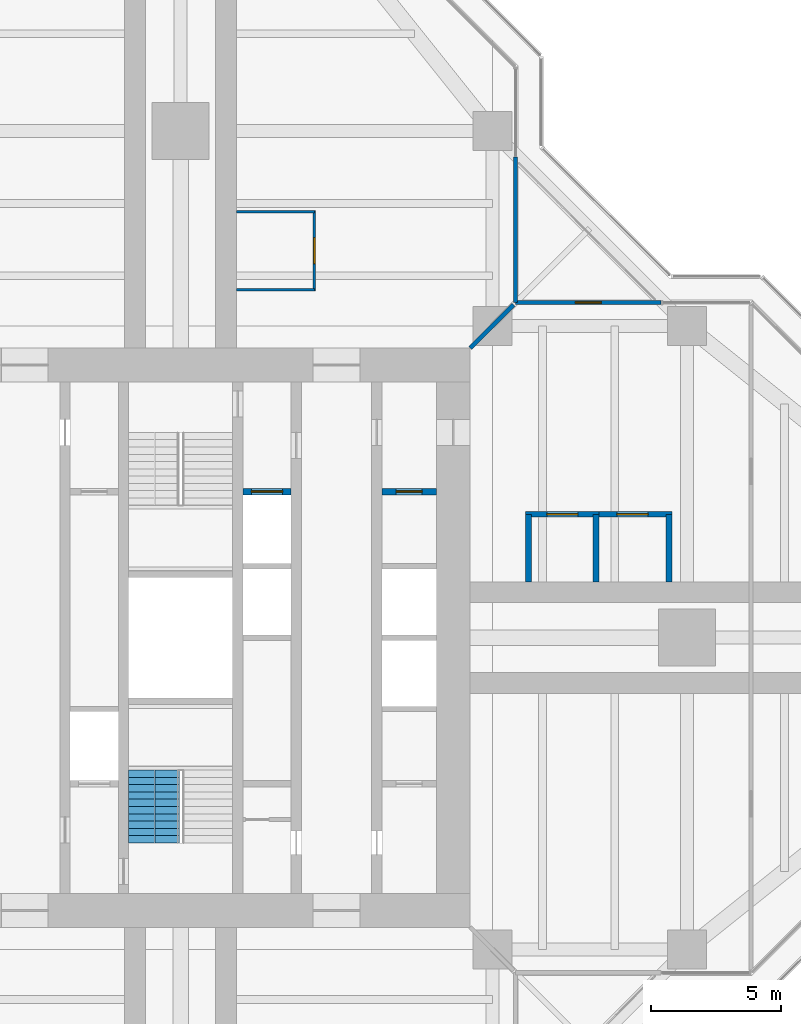
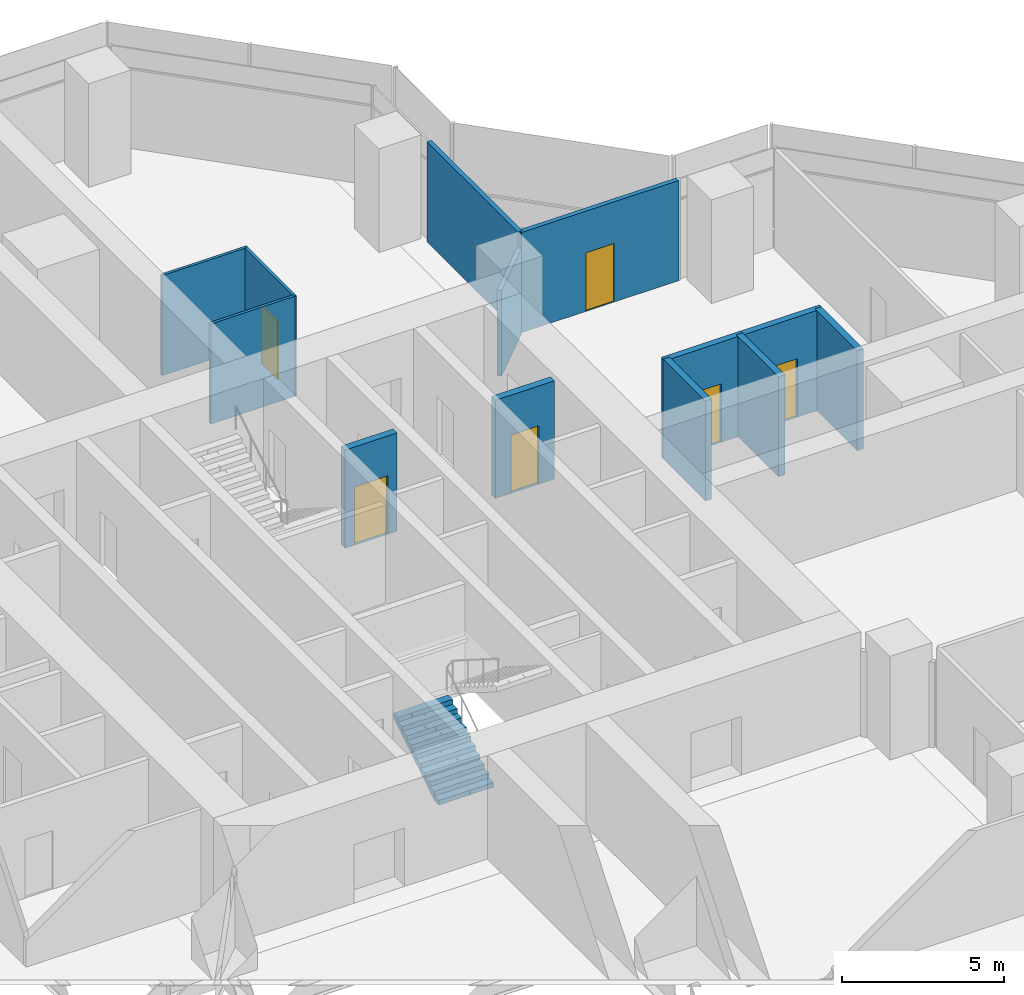
# One storey, part 15 of 17: 13 walls, 6 doors, 1 stair flight, 6 openings, 1 element without a shape of its own.
"""IFC4 building model written with IfcOpenShell, lengths in metres."""

from ifc_helpers import new_model, si_unit, direction, frame, frame_2d, origin, place, context, subcontext, project, spatial, polyline, rectangle, outline, extrude, material, layer, layer_set, type_object, element, fill, aggregate, save


model = new_model("IFC4")

# Units and contexts
model_context = context("Model", 3, precision=1e-05, world=origin(), true_north=direction((0.0, 1.0)))
body_context = subcontext(model_context, "Body", "Model", "MODEL_VIEW")
ifc_project = project(units=[si_unit("LENGTHUNIT", "METRE"), si_unit("AREAUNIT", "SQUARE_METRE"), si_unit("VOLUMEUNIT", "CUBIC_METRE"), si_unit("PLANEANGLEUNIT", "RADIAN"), si_unit("MASSUNIT", "GRAM", prefix="KILO")], contexts=[model_context])

# Site, building, storey
site_placement = place(None, origin())
site = spatial("IfcSite", under=ifc_project, at=site_placement, CompositionType="ELEMENT")
building_placement = place(site_placement, origin())
building = spatial("IfcBuilding", under=site, at=building_placement, Name="Mizan Broadcast Tower", CompositionType="ELEMENT")
storey_placement = place(building_placement, frame((0.0, 0.0, 208.800048828125)))
storey = spatial("IfcBuildingStorey", under=building, at=storey_placement, Name="L48", CompositionType="ELEMENT", Elevation=208.800048828125)

# Wall, opening, door
ifc_material_1 = material(Name="Aluminium framed glazed screen", Category="aluminium")
ifc_layer_1 = layer(ifc_material_1, 0.159912109375)
ifc_layer_set_1 = layer_set([ifc_layer_1], Name="Aluminium framed glazed screen")
wall_type_1 = type_object("IfcWallType", Name="GLAZED SCREEN WALL 160", PredefinedType="SOLIDWALL", material=ifc_layer_set_1)
wall_1_placement = place(storey_placement, frame((18.5, 12.89990234375, 0.0), z_axis=(0.0, 0.0, 1.0), x_axis=(-1.0, 0.0, 0.0)))
wall_1 = element("IfcWall", 1, at=wall_1_placement, inside=storey, type_object=wall_type_1, Name="Winter garden screen L48 E", PredefinedType="SOLIDWALL", context=body_context, shape_type="SweptSolid", body=[
    extrude(rectangle(XDim=5.60009765625, YDim=0.159912109375, at=frame_2d((2.800048828125, 0.0))), origin(), (0.0, 0.0, 1.0), 3.77001953125),
])
opening_1_placement = place(wall_1_placement, frame((2.300048828125, 0.0, 0.0)))
opening_1 = element("IfcOpeningElement", 2, at=opening_1_placement, cuts=wall_1, Name="Opening WGD", PredefinedType="OPENING", context=body_context, shape_type="SweptSolid", body=[
    extrude(rectangle(XDim=1.0, YDim=2.199951171875, at=frame_2d((0.5, 1.10009765625))), frame((0.0, 0.08984375, 0.0), z_axis=(0.0, -1.0, 0.0), x_axis=(1.0, 0.0, 0.0)), (0.0, 0.0, 1.0), 0.179931640625),
])
ifc_material_2 = material(Name="Aluminium framed glazed door", Category="aluminium")
door_type_1 = type_object("IfcDoorType", Name="WINTER GARDEN DOOR 1000 GLAZED", OperationType="SINGLE_SWING_LEFT", PredefinedType="DOOR", material=ifc_material_2)
door_1_placement = place(opening_1_placement, origin())
door_1 = element("IfcDoor", 3, at=door_1_placement, inside=storey, type_object=door_type_1, Name="Winter garden door L48 E", OperationType="SINGLE_SWING_RIGHT", OverallHeight=2.199951171875, OverallWidth=1.0, PredefinedType="DOOR", context=body_context, shape_type="SweptSolid", body=[
    extrude(rectangle(XDim=1.0, YDim=2.199951171875, at=frame_2d((0.5, 1.10009765625))), frame((0.0, 0.02490234375, 0.0), z_axis=(0.0, -1.0, 0.0), x_axis=(1.0, 0.0, 0.0)), (0.0, 0.0, 1.0), 0.050048828125),
])
fill(opening_1, door_1)

# Wall
wall_2_placement = place(storey_placement, frame((12.89990234375, 12.89990234375, 0.0), z_axis=(0.0, 0.0, 1.0), x_axis=(0.0, 1.0, 0.0)))
element("IfcWall", 4, at=wall_2_placement, inside=storey, type_object=wall_type_1, Name="Winter garden screen L48 N", PredefinedType="SOLIDWALL", context=body_context, shape_type="SweptSolid", body=[
    extrude(rectangle(XDim=5.60009765625, YDim=0.159912109375, at=frame_2d((2.800048828125, 0.0))), origin(), (0.0, 0.0, 1.0), 3.77001953125),
])

# Wall, opening, door
ifc_material_3 = material(Name="Concrete blockwork", Category="masonry")
ifc_layer_2 = layer(ifc_material_3, 0.25)
ifc_layer_set_2 = layer_set([ifc_layer_2], Name="Concrete blockwork")
wall_type_2 = type_object("IfcWallType", Name="LOBBY ENCLOSURE WALL 250", PredefinedType="SOLIDWALL", material=ifc_layer_set_2)
wall_3_placement = place(storey_placement, frame((2.39990234375, 5.625, 0.0), z_axis=(0.0, 0.0, 1.0), x_axis=(1.0, 0.0, 0.0)))
wall_3 = element("IfcWall", 5, at=wall_3_placement, inside=storey, type_object=wall_type_2, Name="Lobby enclosure wall CORE/BE2N", PredefinedType="SOLIDWALL", context=body_context, shape_type="SweptSolid", body=[
    extrude(rectangle(XDim=1.85009765625, YDim=0.25, at=frame_2d((0.925048828125, 0.0))), origin(), (0.0, 0.0, 1.0), 3.699951171875),
])
opening_2_placement = place(wall_3_placement, frame((0.324951171875, 0.0, 0.0)))
opening_2 = element("IfcOpeningElement", 6, at=opening_2_placement, cuts=wall_3, Name="Opening LDF", PredefinedType="OPENING", context=body_context, shape_type="SweptSolid", body=[
    extrude(rectangle(XDim=1.199951171875, YDim=2.199951171875, at=frame_2d((0.60009765625, 1.10009765625))), frame((0.0, 0.135009765625, 0.0), z_axis=(0.0, -1.0, 0.0), x_axis=(1.0, 0.0, 0.0)), (0.0, 0.0, 1.0), 0.27001953125),
])
ifc_material_4 = material(Name="Steel door leaf in steel frame", Category="steel")
door_type_2 = type_object("IfcDoorType", Name="FIREFIGHTING LIFT LANDING DOOR 1200", OperationType="SLIDING_TO_LEFT", PredefinedType="DOOR", material=ifc_material_4)
door_2_placement = place(opening_2_placement, origin())
door_2 = element("IfcDoor", 7, at=door_2_placement, inside=storey, type_object=door_type_2, Name="Landing door FF2", OperationType="SLIDING_TO_LEFT", OverallHeight=2.199951171875, OverallWidth=1.199951171875, PredefinedType="DOOR", context=body_context, shape_type="SweptSolid", body=[
    extrude(rectangle(XDim=1.199951171875, YDim=2.199951171875, at=frame_2d((0.60009765625, 1.10009765625))), frame((0.0, 0.02490234375, 0.0), z_axis=(0.0, -1.0, 0.0), x_axis=(1.0, 0.0, 0.0)), (0.0, 0.0, 1.0), 0.050048828125),
])
fill(opening_2, door_2)

wall_4_placement = place(storey_placement, frame((7.75, 5.625, 0.0), z_axis=(0.0, 0.0, 1.0), x_axis=(1.0, 0.0, 0.0)))
wall_4 = element("IfcWall", 8, at=wall_4_placement, inside=storey, type_object=wall_type_2, Name="Lobby enclosure wall CORE/BE1N", PredefinedType="SOLIDWALL", context=body_context, shape_type="SweptSolid", body=[
    extrude(rectangle(XDim=2.10009765625, YDim=0.25, at=frame_2d((1.050048828125, 0.0))), origin(), (0.0, 0.0, 1.0), 3.699951171875),
])
opening_3_placement = place(wall_4_placement, frame((0.550048828125, 0.0, 0.0)))
opening_3 = element("IfcOpeningElement", 9, at=opening_3_placement, cuts=wall_4, Name="Opening D10F", PredefinedType="OPENING", context=body_context, shape_type="SweptSolid", body=[
    extrude(rectangle(XDim=1.0, YDim=2.199951171875, at=frame_2d((0.5, 1.10009765625))), frame((0.0, 0.135009765625, 0.0), z_axis=(0.0, -1.0, 0.0), x_axis=(1.0, 0.0, 0.0)), (0.0, 0.0, 1.0), 0.27001953125),
])
ifc_material_5 = material(Name="Steel door leaf in steel frame", Category="steel")
door_type_3 = type_object("IfcDoorType", Name="FIRE DOOR 1000 FD90", OperationType="SINGLE_SWING_LEFT", PredefinedType="DOOR", material=ifc_material_5)
door_3_placement = place(opening_3_placement, origin())
door_3 = element("IfcDoor", 10, at=door_3_placement, inside=storey, type_object=door_type_3, Name="Comms room door", OperationType="SINGLE_SWING_LEFT", OverallHeight=2.199951171875, OverallWidth=1.0, PredefinedType="DOOR", context=body_context, shape_type="SweptSolid", body=[
    extrude(rectangle(XDim=1.0, YDim=2.199951171875, at=frame_2d((0.5, 1.10009765625))), frame((0.0, 0.02490234375, 0.0), z_axis=(0.0, -1.0, 0.0), x_axis=(1.0, 0.0, 0.0)), (0.0, 0.0, 1.0), 0.050048828125),
])
fill(opening_3, door_3)

# Walls
ifc_material_6 = material(Name="Gypsum board on steel studs", Category="steel")
ifc_layer_3 = layer(ifc_material_6, 0.14990234375)
ifc_layer_set_3 = layer_set([ifc_layer_3], Name="Gypsum board on steel studs")
wall_type_3 = type_object("IfcWallType", Name="PARTITION 150", PredefinedType="PARTITIONING", material=ifc_layer_set_3)
wall_5_placement = place(storey_placement, frame((11.14990234375, 11.14990234375, 0.0), z_axis=(0.0, 0.0, 1.0), x_axis=(0.707106781187, 0.707106781187, 0.0)))
element("IfcWall", 11, at=wall_5_placement, inside=storey, type_object=wall_type_3, Name="Partition PT/DGEN", PredefinedType="PARTITIONING", context=body_context, shape_type="SweptSolid", body=[
    extrude(rectangle(XDim=2.362060546875, YDim=0.14990234375, at=frame_2d((1.18115234375, 0.0))), origin(), (0.0, 0.0, 1.0), 3.219970703125),
])
ifc_material_7 = material(Name="Twin steel stud acoustic partition, four layers of gypsum board", Category="steel")
ifc_layer_4 = layer(ifc_material_7, 0.22509765625)
ifc_layer_set_4 = layer_set([ifc_layer_4], Name="Twin steel stud acoustic partition, four layers of gypsum board")
wall_type_4 = type_object("IfcWallType", Name="PARTITION ACOUSTIC 225", PredefinedType="PARTITIONING", material=ifc_layer_set_4)
for number, where, z_axis, x_axis, name in (
    (12, (13.39990234375, 2.14990234375, 0.0), (0.0, 0.0, 1.0), (0.0, 1.0, 0.0), "Acoustic partition PT/EKP0a"),
    (13, (16.0, 2.14990234375, 0.0), (0.0, 0.0, 1.0), (0.0, 1.0, 0.0), "Acoustic partition PT/EKP0b"),
):
    element("IfcWall", number, at=place(storey_placement, frame(where, z_axis=z_axis, x_axis=x_axis)), inside=storey, type_object=wall_type_4, Name=name, PredefinedType="PARTITIONING", context=body_context, shape_type="SweptSolid", body=[
        extrude(rectangle(XDim=2.60009765625, YDim=0.22509765625, at=frame_2d((1.300048828125, 0.0))), origin(), (0.0, 0.0, 1.0), 3.77001953125),
    ])

# Wall, opening, door
wall_6_placement = place(storey_placement, frame((13.28759765625, 4.75, 0.0), z_axis=(0.0, 0.0, 1.0), x_axis=(1.0, 0.0, 0.0)))
wall_6 = element("IfcWall", 14, at=wall_6_placement, inside=storey, type_object=wall_type_4, Name="Acoustic partition PT/EKP0f", PredefinedType="PARTITIONING", context=body_context, shape_type="SweptSolid", body=[
    extrude(rectangle(XDim=2.824951171875, YDim=0.22509765625, at=frame_2d((1.41259765625, 0.0))), origin(), (0.0, 0.0, 1.0), 3.77001953125),
])
opening_4_placement = place(wall_6_placement, frame((0.8125, 0.0, 0.0)))
opening_4 = element("IfcOpeningElement", 15, at=opening_4_placement, cuts=wall_6, Name="Opening D12A", PredefinedType="OPENING", context=body_context, shape_type="SweptSolid", body=[
    extrude(rectangle(XDim=1.199951171875, YDim=2.199951171875, at=frame_2d((0.60009765625, 1.10009765625))), frame((0.0, 0.12255859375, 0.0), z_axis=(0.0, -1.0, 0.0), x_axis=(1.0, 0.0, 0.0)), (0.0, 0.0, 1.0), 0.2451171875),
])
ifc_material_8 = material(Name="Timber door leaf in aluminium frame", Category="wood")
door_type_4 = type_object("IfcDoorType", Name="ACOUSTIC DOOR 1200", OperationType="SINGLE_SWING_LEFT", PredefinedType="DOOR", material=ifc_material_8)
door_4_placement = place(opening_4_placement, origin())
door_4 = element("IfcDoor", 16, at=door_4_placement, inside=storey, type_object=door_type_4, Name="Radio booth door", OperationType="SINGLE_SWING_LEFT", OverallHeight=2.199951171875, OverallWidth=1.199951171875, PredefinedType="DOOR", context=body_context, shape_type="SweptSolid", body=[
    extrude(rectangle(XDim=1.199951171875, YDim=2.199951171875, at=frame_2d((0.60009765625, 1.10009765625))), frame((0.0, 0.02490234375, 0.0), z_axis=(0.0, -1.0, 0.0), x_axis=(1.0, 0.0, 0.0)), (0.0, 0.0, 1.0), 0.050048828125),
])
fill(opening_4, door_4)

# Wall
wall_7_placement = place(storey_placement, frame((18.800048828125, 2.14990234375, 0.0), z_axis=(0.0, 0.0, 1.0), x_axis=(0.0, 1.0, 0.0)))
element("IfcWall", 17, at=wall_7_placement, inside=storey, type_object=wall_type_4, Name="Acoustic partition PT/EKP1b", PredefinedType="PARTITIONING", context=body_context, shape_type="SweptSolid", body=[
    extrude(rectangle(XDim=2.60009765625, YDim=0.22509765625, at=frame_2d((1.300048828125, 0.0))), origin(), (0.0, 0.0, 1.0), 3.77001953125),
])

# Wall, opening, door
wall_8_placement = place(storey_placement, frame((16.112548828125, 4.75, 0.0), z_axis=(0.0, 0.0, 1.0), x_axis=(1.0, 0.0, 0.0)))
wall_8 = element("IfcWall", 18, at=wall_8_placement, inside=storey, type_object=wall_type_4, Name="Acoustic partition PT/EKP1f", PredefinedType="PARTITIONING", context=body_context, shape_type="SweptSolid", body=[
    extrude(rectangle(XDim=2.800048828125, YDim=0.22509765625, at=frame_2d((1.39990234375, 0.0))), origin(), (0.0, 0.0, 1.0), 3.77001953125),
])
opening_5_placement = place(wall_8_placement, frame((0.6875, 0.0, 0.0)))
opening_5 = element("IfcOpeningElement", 19, at=opening_5_placement, cuts=wall_8, Name="Opening D12A", PredefinedType="OPENING", context=body_context, shape_type="SweptSolid", body=[
    extrude(rectangle(XDim=1.199951171875, YDim=2.199951171875, at=frame_2d((0.60009765625, 1.10009765625))), frame((0.0, 0.12255859375, 0.0), z_axis=(0.0, -1.0, 0.0), x_axis=(1.0, 0.0, 0.0)), (0.0, 0.0, 1.0), 0.2451171875),
])
door_5_placement = place(opening_5_placement, origin())
door_5 = element("IfcDoor", 20, at=door_5_placement, inside=storey, type_object=door_type_4, Name="Radio booth door", OperationType="SINGLE_SWING_LEFT", OverallHeight=2.199951171875, OverallWidth=1.199951171875, PredefinedType="DOOR", context=body_context, shape_type="SweptSolid", body=[
    extrude(rectangle(XDim=1.199951171875, YDim=2.199951171875, at=frame_2d((0.60009765625, 1.10009765625))), frame((0.0, 0.02490234375, 0.0), z_axis=(0.0, -1.0, 0.0), x_axis=(1.0, 0.0, 0.0)), (0.0, 0.0, 1.0), 0.050048828125),
])
fill(opening_5, door_5)

# Walls
ifc_material_9 = material(Name="Glazed aluminium partition on aluminium track", Category="aluminium")
ifc_layer_5 = layer(ifc_material_9, 0.10009765625)
ifc_layer_set_5 = layer_set([ifc_layer_5], Name="Glazed aluminium partition on aluminium track")
wall_type_5 = type_object("IfcWallType", Name="PARTITION GLAZED OFFICE FRONT 100", PredefinedType="PARTITIONING", material=ifc_layer_set_5)
for number, where, z_axis, x_axis, name in (
    (21, (2.14990234375, 13.39990234375, 0.0), (0.0, 0.0, 1.0), (1.0, 0.0, 0.0), "Glazed office front PT/NKN0a"),
    (22, (2.14990234375, 16.39990234375, 0.0), (0.0, 0.0, 1.0), (1.0, 0.0, 0.0), "Glazed office front PT/NKN0b"),
):
    element("IfcWall", number, at=place(storey_placement, frame(where, z_axis=z_axis, x_axis=x_axis)), inside=storey, type_object=wall_type_5, Name=name, PredefinedType="PARTITIONING", context=body_context, shape_type="SweptSolid", body=[
        extrude(rectangle(XDim=3.0, YDim=0.10009765625, at=frame_2d((1.5, 0.0))), origin(), (0.0, 0.0, 1.0), 3.77001953125),
    ])

# Wall, opening, door
wall_9_placement = place(storey_placement, frame((5.14990234375, 13.35009765625, 0.0), z_axis=(0.0, 0.0, 1.0), x_axis=(0.0, 1.0, 0.0)))
wall_9 = element("IfcWall", 23, at=wall_9_placement, inside=storey, type_object=wall_type_5, Name="Glazed office front PT/NKN0f", PredefinedType="PARTITIONING", context=body_context, shape_type="SweptSolid", body=[
    extrude(rectangle(XDim=3.099853515625, YDim=0.10009765625, at=frame_2d((1.5498046875, 0.0))), origin(), (0.0, 0.0, 1.0), 3.77001953125),
])
opening_6_placement = place(wall_9_placement, frame((1.050048828125, 0.0, 0.0)))
opening_6 = element("IfcOpeningElement", 24, at=opening_6_placement, cuts=wall_9, Name="Opening D10O", PredefinedType="OPENING", context=body_context, shape_type="SweptSolid", body=[
    extrude(rectangle(XDim=1.0, YDim=2.199951171875, at=frame_2d((0.5, 1.10009765625))), frame((0.0, 0.06005859375, 0.0), z_axis=(0.0, -1.0, 0.0), x_axis=(1.0, 0.0, 0.0)), (0.0, 0.0, 1.0), 0.1201171875),
])
ifc_material_10 = material(Name="Timber door leaf in aluminium frame", Category="wood")
door_type_5 = type_object("IfcDoorType", Name="OFFICE DOOR 1000 GLAZED", OperationType="SINGLE_SWING_LEFT", PredefinedType="DOOR", material=ifc_material_10)
door_6_placement = place(opening_6_placement, origin())
door_6 = element("IfcDoor", 25, at=door_6_placement, inside=storey, type_object=door_type_5, Name="Pantry door", OperationType="SINGLE_SWING_LEFT", OverallHeight=2.199951171875, OverallWidth=1.0, PredefinedType="DOOR", context=body_context, shape_type="SweptSolid", body=[
    extrude(rectangle(XDim=1.0, YDim=2.199951171875, at=frame_2d((0.5, 1.10009765625))), frame((0.0, 0.02490234375, 0.0), z_axis=(0.0, -1.0, 0.0), x_axis=(1.0, 0.0, 0.0)), (0.0, 0.0, 1.0), 0.050048828125),
])
fill(opening_6, door_6)

# Stair, stair flight
ifc_material_11 = material(Name="Concrete C40/50", Category="concrete")
stair_type = type_object("IfcStairType", Name="EXIT STAIR", PredefinedType="HALF_TURN_STAIR", material=ifc_material_11)
stair_placement = place(storey_placement, origin())
stair = element("IfcStair", 26, at=stair_placement, inside=storey, type_object=stair_type, Name="Stair A L48", PredefinedType="HALF_TURN_STAIR")
ifc_material_12 = material(Name="Concrete C40/50", Category="concrete")
stair_flight_type = type_object("IfcStairFlightType", Name="EXIT STAIR FLIGHT", PredefinedType="STRAIGHT", material=ifc_material_12)
stair_flight_placement = place(storey_placement, frame((-1.02490234375, -7.89990234375, 0.0), z_axis=(0.0, 0.0, 1.0), x_axis=(0.0, 1.0, 0.0)))
stair_flight = element("IfcStairFlight", 27, at=stair_flight_placement, type_object=stair_flight_type, Name="A flight 1", NumberOfRisers=11, NumberOfTreads=10, PredefinedType="STRAIGHT", RiserHeight=0.177272727, TreadLength=0.28, context=body_context, shape_type="SweptSolid", body=[
    extrude(outline(polyline([(0.0, 0.0), (0.0, 0.17724609375), (0.280029296875, 0.17724609375), (0.280029296875, 0.3544921875), (0.56005859375, 0.3544921875), (0.56005859375, 0.53173828125), (0.840087890625, 0.53173828125), (0.840087890625, 0.708984375), (1.1201171875, 0.708984375), (1.1201171875, 0.886474609375), (1.39990234375, 0.886474609375), (1.39990234375, 1.063720703125), (1.679931640625, 1.063720703125), (1.679931640625, 1.240966796875), (1.9599609375, 1.240966796875), (1.9599609375, 1.418212890625), (2.239990234375, 1.418212890625), (2.239990234375, 1.595458984375), (2.52001953125, 1.595458984375), (2.52001953125, 1.772705078125), (2.800048828125, 1.772705078125), (2.800048828125, 1.949951171875), (2.800048828125, 1.59521484375), (0.2802734375, 0.0), (0.0, 0.0)])), frame((0.0, 0.97509765625, 0.0), z_axis=(0.0, -1.0, 0.0), x_axis=(1.0, 0.0, 0.0)), (0.0, 0.0, 1.0), 0.4873046875),
    extrude(outline(polyline([(0.0, 0.0), (0.0, 0.17724609375), (0.280029296875, 0.17724609375), (0.280029296875, 0.3544921875), (0.56005859375, 0.3544921875), (0.56005859375, 0.53173828125), (0.840087890625, 0.53173828125), (0.840087890625, 0.708984375), (1.1201171875, 0.708984375), (1.1201171875, 0.886474609375), (1.39990234375, 0.886474609375), (1.39990234375, 1.063720703125), (1.679931640625, 1.063720703125), (1.679931640625, 1.240966796875), (1.9599609375, 1.240966796875), (1.9599609375, 1.418212890625), (2.239990234375, 1.418212890625), (2.239990234375, 1.595458984375), (2.52001953125, 1.595458984375), (2.52001953125, 1.772705078125), (2.800048828125, 1.772705078125), (2.800048828125, 1.949951171875), (2.800048828125, 1.59521484375), (0.2802734375, 0.0), (0.0, 0.0)])), frame((0.0, 0.4873046875, 0.0), z_axis=(0.0, -1.0, 0.0), x_axis=(1.0, 0.0, 0.0)), (0.0, 0.0, 1.0), 0.2431640625),
    extrude(outline(polyline([(0.0, 0.0), (0.0, 0.17724609375), (0.280029296875, 0.17724609375), (0.280029296875, 0.3544921875), (0.56005859375, 0.3544921875), (0.56005859375, 0.53173828125), (0.840087890625, 0.53173828125), (0.840087890625, 0.708984375), (1.1201171875, 0.708984375), (1.1201171875, 0.886474609375), (1.39990234375, 0.886474609375), (1.39990234375, 1.063720703125), (1.679931640625, 1.063720703125), (1.679931640625, 1.240966796875), (1.9599609375, 1.240966796875), (1.9599609375, 1.418212890625), (2.239990234375, 1.418212890625), (2.239990234375, 1.595458984375), (2.52001953125, 1.595458984375), (2.52001953125, 1.772705078125), (2.800048828125, 1.772705078125), (2.800048828125, 1.949951171875), (2.800048828125, 1.59521484375), (0.2802734375, 0.0), (0.0, 0.0)])), frame((0.0, 0.24365234375, 0.0), z_axis=(0.0, -1.0, 0.0), x_axis=(1.0, 0.0, 0.0)), (0.0, 0.0, 1.0), 0.121337890625),
    extrude(outline(polyline([(0.0, 0.0), (0.0, 0.17724609375), (0.280029296875, 0.17724609375), (0.280029296875, 0.3544921875), (0.56005859375, 0.3544921875), (0.56005859375, 0.53173828125), (0.840087890625, 0.53173828125), (0.840087890625, 0.708984375), (1.1201171875, 0.708984375), (1.1201171875, 0.886474609375), (1.39990234375, 0.886474609375), (1.39990234375, 1.063720703125), (1.679931640625, 1.063720703125), (1.679931640625, 1.240966796875), (1.9599609375, 1.240966796875), (1.9599609375, 1.418212890625), (2.239990234375, 1.418212890625), (2.239990234375, 1.595458984375), (2.52001953125, 1.595458984375), (2.52001953125, 1.772705078125), (2.800048828125, 1.772705078125), (2.800048828125, 1.949951171875), (2.800048828125, 1.59521484375), (0.2802734375, 0.0), (0.0, 0.0)])), frame((0.0, 0.121826171875, 0.0), z_axis=(0.0, -1.0, 0.0), x_axis=(1.0, 0.0, 0.0)), (0.0, 0.0, 1.0), 0.060546875),
    extrude(outline(polyline([(0.0, 0.0), (0.0, 0.17724609375), (0.280029296875, 0.17724609375), (0.280029296875, 0.3544921875), (0.56005859375, 0.3544921875), (0.56005859375, 0.53173828125), (0.840087890625, 0.53173828125), (0.840087890625, 0.708984375), (1.1201171875, 0.708984375), (1.1201171875, 0.886474609375), (1.39990234375, 0.886474609375), (1.39990234375, 1.063720703125), (1.679931640625, 1.063720703125), (1.679931640625, 1.240966796875), (1.9599609375, 1.240966796875), (1.9599609375, 1.418212890625), (2.239990234375, 1.418212890625), (2.239990234375, 1.595458984375), (2.52001953125, 1.595458984375), (2.52001953125, 1.772705078125), (2.800048828125, 1.772705078125), (2.800048828125, 1.949951171875), (2.800048828125, 1.59521484375), (0.2802734375, 0.0), (0.0, 0.0)])), frame((0.0, 0.060791015625, 0.0), z_axis=(0.0, -1.0, 0.0), x_axis=(1.0, 0.0, 0.0)), (0.0, 0.0, 1.0), 0.030029296875),
    extrude(outline(polyline([(0.0, 0.0), (0.0, 0.17724609375), (0.280029296875, 0.17724609375), (0.280029296875, 0.3544921875), (0.56005859375, 0.3544921875), (0.56005859375, 0.53173828125), (0.840087890625, 0.53173828125), (0.840087890625, 0.708984375), (1.1201171875, 0.708984375), (1.1201171875, 0.886474609375), (1.39990234375, 0.886474609375), (1.39990234375, 1.063720703125), (1.679931640625, 1.063720703125), (1.679931640625, 1.240966796875), (1.9599609375, 1.240966796875), (1.9599609375, 1.418212890625), (2.239990234375, 1.418212890625), (2.239990234375, 1.595458984375), (2.52001953125, 1.595458984375), (2.52001953125, 1.772705078125), (2.800048828125, 1.772705078125), (2.800048828125, 1.949951171875), (2.800048828125, 1.59521484375), (0.2802734375, 0.0), (0.0, 0.0)])), frame((0.0, 0.0302734375, 0.0), z_axis=(0.0, -1.0, 0.0), x_axis=(1.0, 0.0, 0.0)), (0.0, 0.0, 1.0), 0.060302734375),
    extrude(outline(polyline([(0.0, 0.0), (0.0, 0.17724609375), (0.280029296875, 0.17724609375), (0.280029296875, 0.3544921875), (0.56005859375, 0.3544921875), (0.56005859375, 0.53173828125), (0.840087890625, 0.53173828125), (0.840087890625, 0.708984375), (1.1201171875, 0.708984375), (1.1201171875, 0.886474609375), (1.39990234375, 0.886474609375), (1.39990234375, 1.063720703125), (1.679931640625, 1.063720703125), (1.679931640625, 1.240966796875), (1.9599609375, 1.240966796875), (1.9599609375, 1.418212890625), (2.239990234375, 1.418212890625), (2.239990234375, 1.595458984375), (2.52001953125, 1.595458984375), (2.52001953125, 1.772705078125), (2.800048828125, 1.772705078125), (2.800048828125, 1.949951171875), (2.800048828125, 1.59521484375), (0.2802734375, 0.0), (0.0, 0.0)])), frame((0.0, -0.030517578125, 0.0), z_axis=(0.0, -1.0, 0.0), x_axis=(1.0, 0.0, 0.0)), (0.0, 0.0, 1.0), 0.030029296875),
    extrude(outline(polyline([(0.0, 0.0), (0.0, 0.17724609375), (0.280029296875, 0.17724609375), (0.280029296875, 0.3544921875), (0.56005859375, 0.3544921875), (0.56005859375, 0.53173828125), (0.840087890625, 0.53173828125), (0.840087890625, 0.708984375), (1.1201171875, 0.708984375), (1.1201171875, 0.886474609375), (1.39990234375, 0.886474609375), (1.39990234375, 1.063720703125), (1.679931640625, 1.063720703125), (1.679931640625, 1.240966796875), (1.9599609375, 1.240966796875), (1.9599609375, 1.418212890625), (2.239990234375, 1.418212890625), (2.239990234375, 1.595458984375), (2.52001953125, 1.595458984375), (2.52001953125, 1.772705078125), (2.800048828125, 1.772705078125), (2.800048828125, 1.949951171875), (2.800048828125, 1.59521484375), (0.2802734375, 0.0), (0.0, 0.0)])), frame((0.0, -0.06103515625, 0.0), z_axis=(0.0, -1.0, 0.0), x_axis=(1.0, 0.0, 0.0)), (0.0, 0.0, 1.0), 0.060546875),
    extrude(outline(polyline([(0.0, 0.0), (0.0, 0.17724609375), (0.280029296875, 0.17724609375), (0.280029296875, 0.3544921875), (0.56005859375, 0.3544921875), (0.56005859375, 0.53173828125), (0.840087890625, 0.53173828125), (0.840087890625, 0.708984375), (1.1201171875, 0.708984375), (1.1201171875, 0.886474609375), (1.39990234375, 0.886474609375), (1.39990234375, 1.063720703125), (1.679931640625, 1.063720703125), (1.679931640625, 1.240966796875), (1.9599609375, 1.240966796875), (1.9599609375, 1.418212890625), (2.239990234375, 1.418212890625), (2.239990234375, 1.595458984375), (2.52001953125, 1.595458984375), (2.52001953125, 1.772705078125), (2.800048828125, 1.772705078125), (2.800048828125, 1.949951171875), (2.800048828125, 1.59521484375), (0.2802734375, 0.0), (0.0, 0.0)])), frame((0.0, -0.1220703125, 0.0), z_axis=(0.0, -1.0, 0.0), x_axis=(1.0, 0.0, 0.0)), (0.0, 0.0, 1.0), 0.121337890625),
    extrude(outline(polyline([(0.0, 0.0), (0.0, 0.17724609375), (0.280029296875, 0.17724609375), (0.280029296875, 0.3544921875), (0.56005859375, 0.3544921875), (0.56005859375, 0.53173828125), (0.840087890625, 0.53173828125), (0.840087890625, 0.708984375), (1.1201171875, 0.708984375), (1.1201171875, 0.886474609375), (1.39990234375, 0.886474609375), (1.39990234375, 1.063720703125), (1.679931640625, 1.063720703125), (1.679931640625, 1.240966796875), (1.9599609375, 1.240966796875), (1.9599609375, 1.418212890625), (2.239990234375, 1.418212890625), (2.239990234375, 1.595458984375), (2.52001953125, 1.595458984375), (2.52001953125, 1.772705078125), (2.800048828125, 1.772705078125), (2.800048828125, 1.949951171875), (2.800048828125, 1.59521484375), (0.2802734375, 0.0), (0.0, 0.0)])), frame((0.0, -0.243896484375, 0.0), z_axis=(0.0, -1.0, 0.0), x_axis=(1.0, 0.0, 0.0)), (0.0, 0.0, 1.0), 0.2431640625),
    extrude(outline(polyline([(0.0, 0.0), (0.0, 0.17724609375), (0.280029296875, 0.17724609375), (0.280029296875, 0.3544921875), (0.56005859375, 0.3544921875), (0.56005859375, 0.53173828125), (0.840087890625, 0.53173828125), (0.840087890625, 0.708984375), (1.1201171875, 0.708984375), (1.1201171875, 0.886474609375), (1.39990234375, 0.886474609375), (1.39990234375, 1.063720703125), (1.679931640625, 1.063720703125), (1.679931640625, 1.240966796875), (1.9599609375, 1.240966796875), (1.9599609375, 1.418212890625), (2.239990234375, 1.418212890625), (2.239990234375, 1.595458984375), (2.52001953125, 1.595458984375), (2.52001953125, 1.772705078125), (2.800048828125, 1.772705078125), (2.800048828125, 1.949951171875), (2.800048828125, 1.59521484375), (0.2802734375, 0.0), (0.0, 0.0)])), frame((0.0, -0.487548828125, 0.0), z_axis=(0.0, -1.0, 0.0), x_axis=(1.0, 0.0, 0.0)), (0.0, 0.0, 1.0), 0.4873046875),
])
aggregate(stair, [stair_flight])

save(model, "model.ifc")
